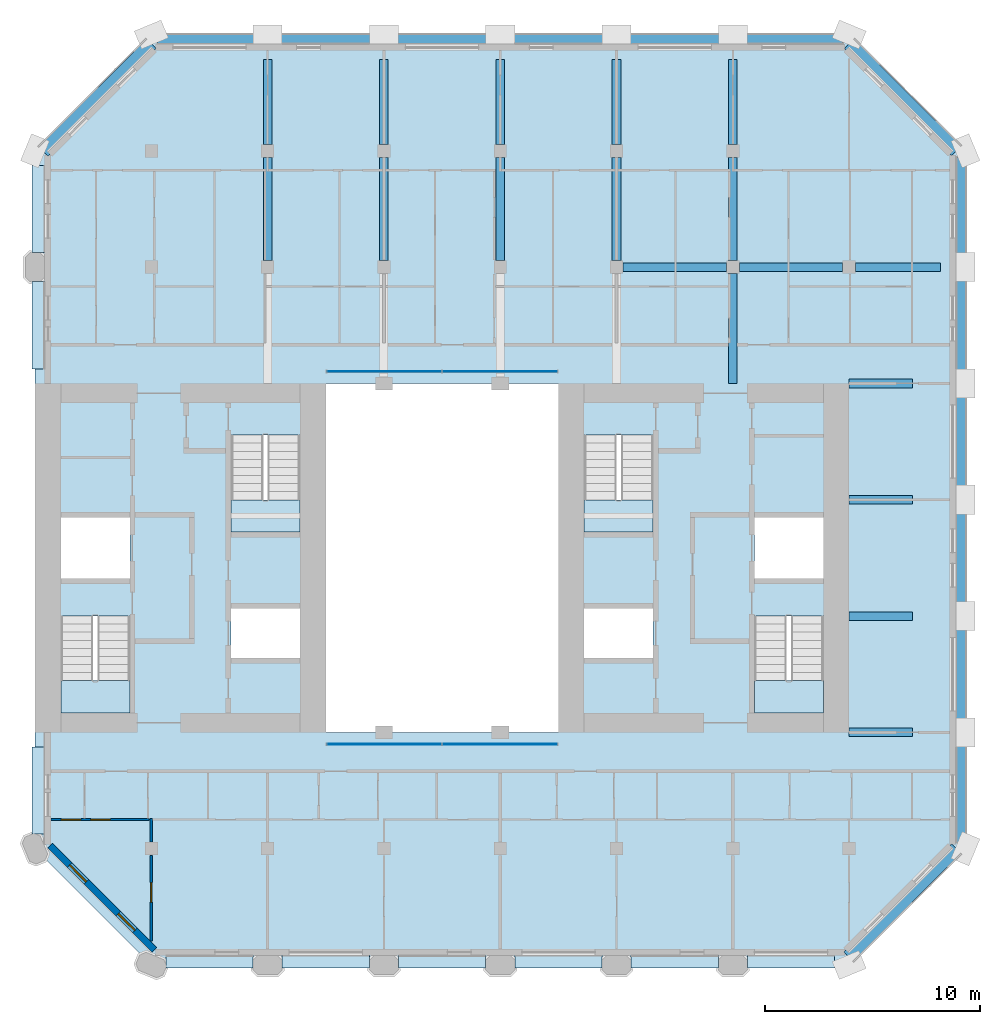
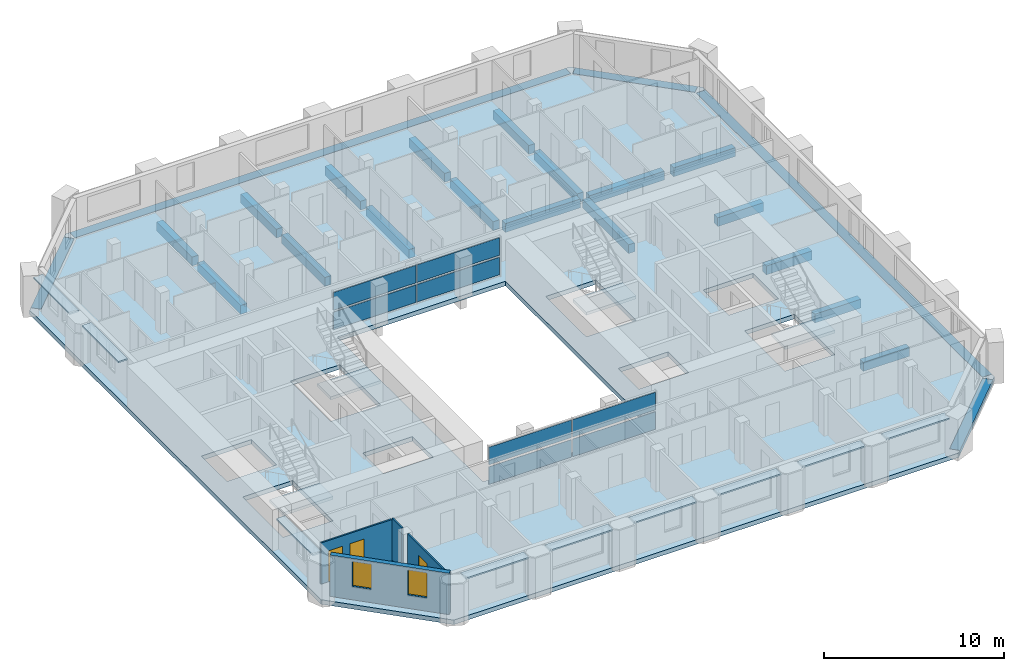
# One storey, part 3 of 13: 23 beams, 17 plates, 5 slabs, 4 walls, 3 doors, 2 windows, 5 openings, 6 elements without a shape of their own.
"""IFC4 building model written with IfcOpenShell, lengths in metres."""

from ifc_helpers import new_model, si_unit, direction, frame, frame_2d, origin, origin_2d, place, context, subcontext, project, spatial, polyline, rectangle, outline, extrude, material, layer, layer_set, material_profile, profile_set, type_object, element, fill, aggregate, save


model = new_model("IFC4")

# Units and contexts
model_context = context("Model", 3, precision=1e-05, world=origin(), true_north=direction((0.0, 1.0)))
body_context = subcontext(model_context, "Body", "Model", "MODEL_VIEW")
ifc_project = project(units=[si_unit("LENGTHUNIT", "METRE"), si_unit("AREAUNIT", "SQUARE_METRE"), si_unit("VOLUMEUNIT", "CUBIC_METRE"), si_unit("PLANEANGLEUNIT", "RADIAN"), si_unit("MASSUNIT", "GRAM", prefix="KILO")], contexts=[model_context])

# Site, building, storey
site_placement = place(None, origin())
site = spatial("IfcSite", under=ifc_project, at=site_placement, CompositionType="ELEMENT")
building_placement = place(site_placement, origin())
building = spatial("IfcBuilding", under=site, at=building_placement, Name="Tabaq Tower and Sports Hall", CompositionType="ELEMENT")
storey_placement = place(building_placement, frame((0.0, 0.0, 304.89990234375)))
storey = spatial("IfcBuildingStorey", under=building, at=storey_placement, Name="L76", CompositionType="ELEMENT", Elevation=304.89990234375)

# Beams
ifc_material_1 = material(Name="Concrete C40/50", Category="concrete")
ifc_material_profile_1 = material_profile(ifc_material_1, rectangle(XDim=0.39990234375, YDim=0.60009765625, at=origin_2d()), Name="CB 400x600")
ifc_profile_set_1 = profile_set([ifc_material_profile_1], Name="Concrete C40/50")
beam_type_1 = type_object("IfcBeamType", Name="PT CANTILEVER BEAM CB 400x600 C40/50", PredefinedType="BEAM", material=ifc_profile_set_1)
for number, where, z_axis, x_axis, name in (
    (1, (46.14990234375, 16.199951171875, -0.599853515625), (-1.0, 0.0, 0.0), (0.0, -1.0, 0.0), "Cantilever Beam L76 E3 span 1"),
    (2, (46.14990234375, 21.60009765625, -0.599853515625), (-1.0, 0.0, 0.0), (0.0, -1.0, 0.0), "Cantilever Beam L76 E4 span 1"),
    (3, (46.14990234375, 27.0, -0.599853515625), (-1.0, 0.0, 0.0), (0.0, -1.0, 0.0), "Cantilever Beam L76 E5 span 1"),
    (4, (46.14990234375, 32.39990234375, -0.599853515625), (-1.0, 0.0, 0.0), (0.0, -1.0, 0.0), "Cantilever Beam L76 E6 span 1"),
):
    element("IfcBeam", number, at=place(storey_placement, frame(where, z_axis=z_axis, x_axis=x_axis)), inside=storey, type_object=beam_type_1, Name=name, PredefinedType="BEAM", context=body_context, shape_type="SweptSolid", body=[
        extrude(rectangle(XDim=0.39990234375, YDim=0.60009765625, at=origin_2d()), origin(), (0.0, 0.0, 1.0), 2.949951171875),
    ])
beam_1_placement = place(storey_placement, frame((47.449951171875, 37.800048828125, -0.599853515625), z_axis=(-1.0, 0.0, 0.0), x_axis=(0.0, -1.0, 0.0)))
element("IfcBeam", 5, at=beam_1_placement, inside=storey, type_object=beam_type_1, Name="Cantilever Beam L76 E7 span 1", PredefinedType="BEAM", context=body_context, shape_type="SweptSolid", body=[
    extrude(rectangle(XDim=0.39990234375, YDim=0.60009765625, at=origin_2d()), origin(), (0.0, 0.0, 1.0), 3.949951171875),
])
beam_2_placement = place(storey_placement, frame((42.89990234375, 37.800048828125, -0.599853515625), z_axis=(-1.0, 0.0, 0.0), x_axis=(0.0, -1.0, 0.0)))
element("IfcBeam", 6, at=beam_2_placement, inside=storey, type_object=beam_type_1, Name="Cantilever Beam L76 E7 span 2", PredefinedType="BEAM", context=body_context, shape_type="SweptSolid", body=[
    extrude(rectangle(XDim=0.39990234375, YDim=0.60009765625, at=origin_2d()), origin(), (0.0, 0.0, 1.0), 4.7998046875),
])
beam_3_placement = place(storey_placement, frame((37.5, 37.800048828125, -0.599853515625), z_axis=(-1.0, 0.0, 0.0), x_axis=(0.0, -1.0, 0.0)))
element("IfcBeam", 7, at=beam_3_placement, inside=storey, type_object=beam_type_1, Name="Cantilever Beam L76 E7 span 3", PredefinedType="BEAM", context=body_context, shape_type="SweptSolid", body=[
    extrude(rectangle(XDim=0.39990234375, YDim=0.60009765625, at=origin_2d()), origin(), (0.0, 0.0, 1.0), 4.800048828125),
])
beam_4_placement = place(storey_placement, frame((16.199951171875, 47.449951171875, -0.599853515625), z_axis=(0.0, -1.0, 0.0), x_axis=(1.0, 0.0, 0.0)))
element("IfcBeam", 8, at=beam_4_placement, inside=storey, type_object=beam_type_1, Name="Cantilever Beam L76 N3 span 1", PredefinedType="BEAM", context=body_context, shape_type="SweptSolid", body=[
    extrude(rectangle(XDim=0.39990234375, YDim=0.60009765625, at=origin_2d()), origin(), (0.0, 0.0, 1.0), 3.949951171875),
])
beam_5_placement = place(storey_placement, frame((16.199951171875, 42.89990234375, -0.599853515625), z_axis=(0.0, -1.0, 0.0), x_axis=(1.0, 0.0, 0.0)))
element("IfcBeam", 9, at=beam_5_placement, inside=storey, type_object=beam_type_1, Name="Cantilever Beam L76 N3 span 2", PredefinedType="BEAM", context=body_context, shape_type="SweptSolid", body=[
    extrude(rectangle(XDim=0.39990234375, YDim=0.60009765625, at=origin_2d()), origin(), (0.0, 0.0, 1.0), 4.7998046875),
])
beam_6_placement = place(storey_placement, frame((21.60009765625, 47.449951171875, -0.599853515625), z_axis=(0.0, -1.0, 0.0), x_axis=(1.0, 0.0, 0.0)))
element("IfcBeam", 10, at=beam_6_placement, inside=storey, type_object=beam_type_1, Name="Cantilever Beam L76 N4 span 1", PredefinedType="BEAM", context=body_context, shape_type="SweptSolid", body=[
    extrude(rectangle(XDim=0.39990234375, YDim=0.60009765625, at=origin_2d()), origin(), (0.0, 0.0, 1.0), 3.949951171875),
])
beam_7_placement = place(storey_placement, frame((21.60009765625, 42.89990234375, -0.599853515625), z_axis=(0.0, -1.0, 0.0), x_axis=(1.0, 0.0, 0.0)))
element("IfcBeam", 11, at=beam_7_placement, inside=storey, type_object=beam_type_1, Name="Cantilever Beam L76 N4 span 2", PredefinedType="BEAM", context=body_context, shape_type="SweptSolid", body=[
    extrude(rectangle(XDim=0.39990234375, YDim=0.60009765625, at=origin_2d()), origin(), (0.0, 0.0, 1.0), 4.7998046875),
])
beam_8_placement = place(storey_placement, frame((27.0, 47.449951171875, -0.599853515625), z_axis=(0.0, -1.0, 0.0), x_axis=(1.0, 0.0, 0.0)))
element("IfcBeam", 12, at=beam_8_placement, inside=storey, type_object=beam_type_1, Name="Cantilever Beam L76 N5 span 1", PredefinedType="BEAM", context=body_context, shape_type="SweptSolid", body=[
    extrude(rectangle(XDim=0.39990234375, YDim=0.60009765625, at=origin_2d()), origin(), (0.0, 0.0, 1.0), 3.949951171875),
])
beam_9_placement = place(storey_placement, frame((27.0, 42.89990234375, -0.599853515625), z_axis=(0.0, -1.0, 0.0), x_axis=(1.0, 0.0, 0.0)))
element("IfcBeam", 13, at=beam_9_placement, inside=storey, type_object=beam_type_1, Name="Cantilever Beam L76 N5 span 2", PredefinedType="BEAM", context=body_context, shape_type="SweptSolid", body=[
    extrude(rectangle(XDim=0.39990234375, YDim=0.60009765625, at=origin_2d()), origin(), (0.0, 0.0, 1.0), 4.7998046875),
])
beam_10_placement = place(storey_placement, frame((32.39990234375, 47.449951171875, -0.599853515625), z_axis=(0.0, -1.0, 0.0), x_axis=(1.0, 0.0, 0.0)))
element("IfcBeam", 14, at=beam_10_placement, inside=storey, type_object=beam_type_1, Name="Cantilever Beam L76 N6 span 1", PredefinedType="BEAM", context=body_context, shape_type="SweptSolid", body=[
    extrude(rectangle(XDim=0.39990234375, YDim=0.60009765625, at=origin_2d()), origin(), (0.0, 0.0, 1.0), 3.949951171875),
])
beam_11_placement = place(storey_placement, frame((32.39990234375, 42.89990234375, -0.599853515625), z_axis=(0.0, -1.0, 0.0), x_axis=(1.0, 0.0, 0.0)))
element("IfcBeam", 15, at=beam_11_placement, inside=storey, type_object=beam_type_1, Name="Cantilever Beam L76 N6 span 2", PredefinedType="BEAM", context=body_context, shape_type="SweptSolid", body=[
    extrude(rectangle(XDim=0.39990234375, YDim=0.60009765625, at=origin_2d()), origin(), (0.0, 0.0, 1.0), 4.7998046875),
])
beam_12_placement = place(storey_placement, frame((37.800048828125, 47.449951171875, -0.599853515625), z_axis=(0.0, -1.0, 0.0), x_axis=(1.0, 0.0, 0.0)))
element("IfcBeam", 16, at=beam_12_placement, inside=storey, type_object=beam_type_1, Name="Cantilever Beam L76 N7 span 1", PredefinedType="BEAM", context=body_context, shape_type="SweptSolid", body=[
    extrude(rectangle(XDim=0.39990234375, YDim=0.60009765625, at=origin_2d()), origin(), (0.0, 0.0, 1.0), 3.949951171875),
])
beam_13_placement = place(storey_placement, frame((37.800048828125, 42.89990234375, -0.599853515625), z_axis=(0.0, -1.0, 0.0), x_axis=(1.0, 0.0, 0.0)))
element("IfcBeam", 17, at=beam_13_placement, inside=storey, type_object=beam_type_1, Name="Cantilever Beam L76 N7 span 2", PredefinedType="BEAM", context=body_context, shape_type="SweptSolid", body=[
    extrude(rectangle(XDim=0.39990234375, YDim=0.60009765625, at=origin_2d()), origin(), (0.0, 0.0, 1.0), 4.7998046875),
])
beam_14_placement = place(storey_placement, frame((37.800048828125, 37.5, -0.599853515625), z_axis=(0.0, -1.0, 0.0), x_axis=(1.0, 0.0, 0.0)))
element("IfcBeam", 18, at=beam_14_placement, inside=storey, type_object=beam_type_1, Name="Cantilever Beam L76 N7 span 3", PredefinedType="BEAM", context=body_context, shape_type="SweptSolid", body=[
    extrude(rectangle(XDim=0.39990234375, YDim=0.60009765625, at=origin_2d()), origin(), (0.0, 0.0, 1.0), 5.10009765625),
])
ifc_material_2 = material(Name="Concrete C40/50", Category="concrete")
ifc_material_profile_2 = material_profile(ifc_material_2, rectangle(XDim=0.60009765625, YDim=0.300048828125, at=origin_2d()), Name="EB 600x300")
ifc_profile_set_2 = profile_set([ifc_material_profile_2], Name="Concrete C40/50")
beam_type_2 = type_object("IfcBeamType", Name="PT EDGE BEAM EB 600x300 C40/50", PredefinedType="SPANDREL", material=ifc_profile_set_2)
beam_15_placement = place(storey_placement, frame((43.16455078125, 5.788818359375, -0.14990234375), z_axis=(0.707106781187, 0.707106781187, 0.0), x_axis=(-0.707106781187, 0.707106781187, 0.0)))
element("IfcBeam", 19, at=beam_15_placement, inside=storey, type_object=beam_type_2, Name="Edge Beam L76 1", PredefinedType="SPANDREL", context=body_context, shape_type="SweptSolid", body=[
    extrude(rectangle(XDim=0.60009765625, YDim=0.300048828125, at=origin_2d()), origin(), (0.0, 0.0, 1.0), 7.08837890625),
])
beam_16_placement = place(storey_placement, frame((48.300048828125, 11.0986328125, -0.14990234375), z_axis=(0.0, 1.0, 0.0), x_axis=(-1.0, 0.0, 0.0)))
element("IfcBeam", 20, at=beam_16_placement, inside=storey, type_object=beam_type_2, Name="Edge Beam L76 2", PredefinedType="SPANDREL", context=body_context, shape_type="SweptSolid", body=[
    extrude(rectangle(XDim=0.60009765625, YDim=0.300048828125, at=origin_2d()), origin(), (0.0, 0.0, 1.0), 31.802734375),
])
beam_17_placement = place(storey_placement, frame((48.1767578125, 43.198974609375, -0.14990234375), z_axis=(-0.707106781187, 0.707106781187, 0.0), x_axis=(-0.707106781187, -0.707106781187, 0.0)))
element("IfcBeam", 21, at=beam_17_placement, inside=storey, type_object=beam_type_2, Name="Edge Beam L76 3", PredefinedType="SPANDREL", context=body_context, shape_type="SweptSolid", body=[
    extrude(rectangle(XDim=0.60009765625, YDim=0.300048828125, at=origin_2d()), origin(), (0.0, 0.0, 1.0), 7.03955078125),
])
beam_18_placement = place(storey_placement, frame((42.9013671875, 48.300048828125, -0.14990234375), z_axis=(-1.0, 0.0, 0.0), x_axis=(0.0, -1.0, 0.0)))
element("IfcBeam", 22, at=beam_18_placement, inside=storey, type_object=beam_type_2, Name="Edge Beam L76 4", PredefinedType="SPANDREL", context=body_context, shape_type="SweptSolid", body=[
    extrude(rectangle(XDim=0.60009765625, YDim=0.300048828125, at=origin_2d()), origin(), (0.0, 0.0, 1.0), 31.802734375),
])
beam_19_placement = place(storey_placement, frame((10.801025390625, 48.1767578125, -0.14990234375), z_axis=(-0.707106781187, -0.707106781187, 0.0), x_axis=(0.707106781187, -0.707106781187, 0.0)))
element("IfcBeam", 23, at=beam_19_placement, inside=storey, type_object=beam_type_2, Name="Edge Beam L76 5", PredefinedType="SPANDREL", context=body_context, shape_type="SweptSolid", body=[
    extrude(rectangle(XDim=0.60009765625, YDim=0.300048828125, at=origin_2d()), origin(), (0.0, 0.0, 1.0), 7.08837890625),
])

# Curtain wall, plates
ifc_material_3 = material(Name="Aluminium alloy 6063-T6 framed glazing", Category="aluminium")
curtain_wall_type = type_object("IfcCurtainWallType", Name="CW1 curtain wall", PredefinedType="USERDEFINED", material=ifc_material_3)
curtain_wall_1_placement = place(storey_placement, origin())
curtain_wall_1 = element("IfcCurtainWall", 24, at=curtain_wall_1_placement, inside=storey, type_object=curtain_wall_type, Name="Atrium glazing L76 S", ObjectType="ATRIUM ENCLOSURE", PredefinedType="USERDEFINED")
ifc_material_4 = material(Name="Clear low-emissivity glass 28 mm", Category="glass")
ifc_layer_1 = layer(ifc_material_4, 0.028076171875)
ifc_layer_set_1 = layer_set([ifc_layer_1], Name="CW1 glass panel 28")
plate_type_1 = type_object("IfcPlateType", Name="CW1 glass panel 28", PredefinedType="CURTAIN_PANEL", material=ifc_layer_set_1)
plate_1_placement = place(storey_placement, frame((21.614990234375, 15.64990234375, 0.14013671875), z_axis=(0.0, 0.0, 1.0), x_axis=(1.0, 0.0, 0.0)))
plate_1 = element("IfcPlate", 25, at=plate_1_placement, type_object=plate_type_1, Name="CW1 panel 1.1", PredefinedType="CURTAIN_PANEL", context=body_context, shape_type="SweptSolid", body=[
    extrude(rectangle(XDim=5.31005859375, YDim=0.028076171875, at=origin_2d()), origin(), (0.0, 0.0, 1.0), 1.18994140625),
])
plate_2_placement = place(storey_placement, frame((21.614990234375, 15.64990234375, 1.47021484375), z_axis=(0.0, 0.0, 1.0), x_axis=(1.0, 0.0, 0.0)))
plate_2 = element("IfcPlate", 26, at=plate_2_placement, type_object=plate_type_1, Name="CW1 panel 1.2", PredefinedType="CURTAIN_PANEL", context=body_context, shape_type="SweptSolid", body=[
    extrude(rectangle(XDim=5.31005859375, YDim=0.028076171875, at=origin_2d()), origin(), (0.0, 0.0, 1.0), 1.18994140625),
])
plate_3_placement = place(storey_placement, frame((26.985107421875, 15.64990234375, 0.14013671875), z_axis=(0.0, 0.0, 1.0), x_axis=(1.0, 0.0, 0.0)))
plate_3 = element("IfcPlate", 27, at=plate_3_placement, type_object=plate_type_1, Name="CW1 panel 2.1", PredefinedType="CURTAIN_PANEL", context=body_context, shape_type="SweptSolid", body=[
    extrude(rectangle(XDim=5.31005859375, YDim=0.028076171875, at=origin_2d()), origin(), (0.0, 0.0, 1.0), 1.18994140625),
])
plate_4_placement = place(storey_placement, frame((26.985107421875, 15.64990234375, 1.47021484375), z_axis=(0.0, 0.0, 1.0), x_axis=(1.0, 0.0, 0.0)))
plate_4 = element("IfcPlate", 28, at=plate_4_placement, type_object=plate_type_1, Name="CW1 panel 2.2", PredefinedType="CURTAIN_PANEL", context=body_context, shape_type="SweptSolid", body=[
    extrude(rectangle(XDim=5.31005859375, YDim=0.028076171875, at=origin_2d()), origin(), (0.0, 0.0, 1.0), 1.18994140625),
])
aggregate(curtain_wall_1, [plate_1, plate_2, plate_3, plate_4])

curtain_wall_2_placement = place(storey_placement, origin())
curtain_wall_2 = element("IfcCurtainWall", 29, at=curtain_wall_2_placement, inside=storey, type_object=curtain_wall_type, Name="Atrium glazing L76 N", ObjectType="ATRIUM ENCLOSURE", PredefinedType="USERDEFINED")
plate_5_placement = place(storey_placement, frame((21.614990234375, 32.949951171875, 0.14013671875), z_axis=(0.0, 0.0, 1.0), x_axis=(1.0, 0.0, 0.0)))
plate_5 = element("IfcPlate", 30, at=plate_5_placement, type_object=plate_type_1, Name="CW1 panel 1.1", PredefinedType="CURTAIN_PANEL", context=body_context, shape_type="SweptSolid", body=[
    extrude(rectangle(XDim=5.31005859375, YDim=0.028076171875, at=origin_2d()), origin(), (0.0, 0.0, 1.0), 1.18994140625),
])
plate_6_placement = place(storey_placement, frame((21.614990234375, 32.949951171875, 1.47021484375), z_axis=(0.0, 0.0, 1.0), x_axis=(1.0, 0.0, 0.0)))
plate_6 = element("IfcPlate", 31, at=plate_6_placement, type_object=plate_type_1, Name="CW1 panel 1.2", PredefinedType="CURTAIN_PANEL", context=body_context, shape_type="SweptSolid", body=[
    extrude(rectangle(XDim=5.31005859375, YDim=0.028076171875, at=origin_2d()), origin(), (0.0, 0.0, 1.0), 1.18994140625),
])
plate_7_placement = place(storey_placement, frame((26.985107421875, 32.949951171875, 0.14013671875), z_axis=(0.0, 0.0, 1.0), x_axis=(1.0, 0.0, 0.0)))
plate_7 = element("IfcPlate", 32, at=plate_7_placement, type_object=plate_type_1, Name="CW1 panel 2.1", PredefinedType="CURTAIN_PANEL", context=body_context, shape_type="SweptSolid", body=[
    extrude(rectangle(XDim=5.31005859375, YDim=0.028076171875, at=origin_2d()), origin(), (0.0, 0.0, 1.0), 1.18994140625),
])
plate_8_placement = place(storey_placement, frame((26.985107421875, 32.949951171875, 1.47021484375), z_axis=(0.0, 0.0, 1.0), x_axis=(1.0, 0.0, 0.0)))
plate_8 = element("IfcPlate", 33, at=plate_8_placement, type_object=plate_type_1, Name="CW1 panel 2.2", PredefinedType="CURTAIN_PANEL", context=body_context, shape_type="SweptSolid", body=[
    extrude(rectangle(XDim=5.31005859375, YDim=0.028076171875, at=origin_2d()), origin(), (0.0, 0.0, 1.0), 1.18994140625),
])
aggregate(curtain_wall_2, [plate_5, plate_6, plate_7, plate_8])

# Stair, slab
ifc_material_5 = material(Name="Concrete C40/50", Category="concrete")
stair_type = type_object("IfcStairType", Name="Exit stair", PredefinedType="HALF_TURN_STAIR", material=ifc_material_5)
stair_1_placement = place(storey_placement, origin())
stair_1 = element("IfcStair", 34, at=stair_1_placement, inside=storey, type_object=stair_type, Name="L76 Exit stair ST1", PredefinedType="HALF_TURN_STAIR")
ifc_material_6 = material(Name="Concrete C40/50", Category="concrete")
ifc_layer_2 = layer(ifc_material_6, 0.199951171875)
ifc_layer_set_2 = layer_set([ifc_layer_2], Name="Exit stair landing")
slab_type_1 = type_object("IfcSlabType", Name="Exit stair landing", PredefinedType="LANDING", material=ifc_layer_set_2)
slab_1_placement = place(storey_placement, frame((0.0, 0.0, 1.4501953125)))
slab_1 = element("IfcSlab", 35, at=slab_1_placement, type_object=slab_type_1, Name="ST1 landing 1", PredefinedType="LANDING", context=body_context, shape_type="SweptSolid", body=[
    extrude(outline(polyline([(6.60009765625, 18.60009765625), (6.60009765625, 17.10009765625), (9.800048828125, 17.10009765625), (9.800048828125, 18.60009765625), (6.60009765625, 18.60009765625)])), origin(), (0.0, 0.0, 1.0), 0.199951171875),
])
aggregate(stair_1, [slab_1])

stair_2_placement = place(storey_placement, origin())
stair_2 = element("IfcStair", 36, at=stair_2_placement, inside=storey, type_object=stair_type, Name="L76 Exit stair ST2", PredefinedType="HALF_TURN_STAIR")
slab_2_placement = place(storey_placement, frame((0.0, 0.0, 1.4501953125)))
slab_2 = element("IfcSlab", 37, at=slab_2_placement, type_object=slab_type_1, Name="ST2 landing 1", PredefinedType="LANDING", context=body_context, shape_type="SweptSolid", body=[
    extrude(outline(polyline([(14.5, 27.0), (14.5, 25.5), (17.699951171875, 25.5), (17.699951171875, 27.0), (14.5, 27.0)])), origin(), (0.0, 0.0, 1.0), 0.199951171875),
])
aggregate(stair_2, [slab_2])

stair_3_placement = place(storey_placement, origin())
stair_3 = element("IfcStair", 38, at=stair_3_placement, inside=storey, type_object=stair_type, Name="L76 Exit stair ST3", PredefinedType="HALF_TURN_STAIR")
slab_3_placement = place(storey_placement, frame((0.0, 0.0, 1.4501953125)))
slab_3 = element("IfcSlab", 39, at=slab_3_placement, type_object=slab_type_1, Name="ST3 landing 1", PredefinedType="LANDING", context=body_context, shape_type="SweptSolid", body=[
    extrude(outline(polyline([(38.800048828125, 18.60009765625), (38.800048828125, 17.10009765625), (42.0, 17.10009765625), (42.0, 18.60009765625), (38.800048828125, 18.60009765625)])), origin(), (0.0, 0.0, 1.0), 0.199951171875),
])
aggregate(stair_3, [slab_3])

stair_4_placement = place(storey_placement, origin())
stair_4 = element("IfcStair", 40, at=stair_4_placement, inside=storey, type_object=stair_type, Name="L76 Exit stair ST4", PredefinedType="HALF_TURN_STAIR")
slab_4_placement = place(storey_placement, frame((0.0, 0.0, 1.4501953125)))
slab_4 = element("IfcSlab", 41, at=slab_4_placement, type_object=slab_type_1, Name="ST4 landing 1", PredefinedType="LANDING", context=body_context, shape_type="SweptSolid", body=[
    extrude(outline(polyline([(30.89990234375, 27.0), (30.89990234375, 25.5), (34.10009765625, 25.5), (34.10009765625, 27.0), (30.89990234375, 27.0)])), origin(), (0.0, 0.0, 1.0), 0.199951171875),
])
aggregate(stair_4, [slab_4])

# Slab
ifc_material_7 = material(Name="Concrete C40/50", Category="concrete")
ifc_layer_3 = layer(ifc_material_7, 0.300048828125)
ifc_layer_set_3 = layer_set([ifc_layer_3], Name="PT FLOOR SLAB 300 C40/50")
slab_type_2 = type_object("IfcSlabType", Name="PT FLOOR SLAB 300 C40/50", PredefinedType="FLOOR", material=ifc_layer_set_3)
slab_5_placement = place(storey_placement, frame((0.0, 0.0, -0.2998046875)))
element("IfcSlab", 42, at=slab_5_placement, inside=storey, type_object=slab_type_2, Name="Floor Slab L76", PredefinedType="FLOOR", context=body_context, shape_type="SweptSolid", body=[
    extrude(outline(polyline([(5.39990234375, 43.199951171875), (5.39990234375, 10.800048828125), (10.800048828125, 5.39990234375), (43.199951171875, 5.39990234375), (43.376708984375, 5.57666015625), (42.952392578125, 6.0009765625), (47.964599609375, 11.01318359375), (48.035400390625, 10.9423828125), (48.388916015625, 10.5888671875), (48.60009765625, 10.800048828125), (48.60009765625, 11.0986328125), (48.10009765625, 11.0986328125), (48.0, 11.0986328125), (48.0, 42.9013671875), (48.10009765625, 42.9013671875), (48.60009765625, 42.9013671875), (48.60009765625, 43.199951171875), (48.388916015625, 43.4111328125), (48.035400390625, 43.0576171875), (47.964599609375, 42.98681640625), (42.98681640625, 47.964599609375), (43.0576171875, 48.035400390625), (43.4111328125, 48.388916015625), (43.199951171875, 48.60009765625), (42.9013671875, 48.60009765625), (42.9013671875, 48.10009765625), (42.9013671875, 48.0), (11.0986328125, 48.0), (11.0986328125, 48.10009765625), (11.0986328125, 48.60009765625), (10.800048828125, 48.60009765625), (10.5888671875, 48.388916015625), (10.9423828125, 48.035400390625), (11.01318359375, 47.964599609375), (6.0009765625, 42.952392578125), (5.57666015625, 43.376708984375), (5.39990234375, 43.199951171875)]), holes=[polyline([(6.60009765625, 21.599365234375), (9.800048828125, 21.599365234375), (9.800048828125, 17.10009765625), (6.60009765625, 17.10009765625), (6.60009765625, 21.599365234375)]), polyline([(38.800048828125, 21.599365234375), (42.0, 21.599365234375), (42.0, 17.10009765625), (38.800048828125, 17.10009765625), (38.800048828125, 21.599365234375)]), polyline([(14.5, 21.949951171875), (17.699951171875, 21.949951171875), (17.699951171875, 19.64990234375), (14.5, 19.64990234375), (14.5, 21.949951171875)]), polyline([(30.89990234375, 21.949951171875), (34.10009765625, 21.949951171875), (34.10009765625, 19.64990234375), (30.89990234375, 19.64990234375), (30.89990234375, 21.949951171875)]), polyline([(18.89990234375, 16.199951171875), (18.89990234375, 32.39990234375), (29.699951171875, 32.39990234375), (29.699951171875, 16.199951171875), (18.89990234375, 16.199951171875)]), polyline([(6.60009765625, 26.175048828125), (9.800048828125, 26.175048828125), (9.800048828125, 23.35009765625), (6.60009765625, 23.35009765625), (6.60009765625, 26.175048828125)]), polyline([(38.800048828125, 26.175048828125), (42.0, 26.175048828125), (42.0, 23.35009765625), (38.800048828125, 23.35009765625), (38.800048828125, 26.175048828125)]), polyline([(17.699951171875, 29.99951171875), (17.699951171875, 25.5), (14.5, 25.5), (14.5, 29.99951171875), (17.699951171875, 29.99951171875)]), polyline([(34.10009765625, 29.99951171875), (34.10009765625, 25.5), (30.89990234375, 25.5), (30.89990234375, 29.99951171875), (34.10009765625, 29.99951171875)])]), origin(), (0.0, 0.0, 1.0), 0.2998046875),
])

# Plates
ifc_material_8 = material(Name="White precast concrete C60/75 blade", Category="concrete")
ifc_layer_4 = layer(ifc_material_8, 0.10009765625)
ifc_layer_set_4 = layer_set([ifc_layer_4], Name="White precast concrete C60/75 sunshade 100")
plate_type_2 = type_object("IfcPlateType", Name="White precast concrete C60/75 sunshade 100", PredefinedType="USERDEFINED", material=ifc_layer_set_4)
for number, where, z_axis, x_axis, name in (
    (43, (13.5, 5.550048828125, 2.60009765625), (0.0, 0.0, 1.0), (1.0, 0.0, 0.0), "Sunshade L76 S"),
    (44, (18.89990234375, 5.550048828125, 2.60009765625), (0.0, 0.0, 1.0), (1.0, 0.0, 0.0), "Sunshade L76 S"),
    (45, (24.300048828125, 5.550048828125, 2.60009765625), (0.0, 0.0, 1.0), (1.0, 0.0, 0.0), "Sunshade L76 S"),
    (46, (29.699951171875, 5.550048828125, 2.60009765625), (0.0, 0.0, 1.0), (1.0, 0.0, 0.0), "Sunshade L76 S"),
    (47, (35.10009765625, 5.550048828125, 2.60009765625), (0.0, 0.0, 1.0), (1.0, 0.0, 0.0), "Sunshade L76 S"),
    (48, (40.5, 5.550048828125, 2.60009765625), (0.0, 0.0, 1.0), (1.0, 0.0, 0.0), "Sunshade L76 S"),
    (49, (5.550048828125, 40.5, 2.60009765625), (0.0, 0.0, 1.0), (0.0, -1.0, 0.0), "Sunshade L76 W"),
    (50, (5.550048828125, 35.10009765625, 2.60009765625), (0.0, 0.0, 1.0), (0.0, -1.0, 0.0), "Sunshade L76 W"),
    (51, (5.550048828125, 13.5, 2.60009765625), (0.0, 0.0, 1.0), (0.0, -1.0, 0.0), "Sunshade L76 W"),
):
    element("IfcPlate", number, at=place(storey_placement, frame(where, z_axis=z_axis, x_axis=x_axis)), inside=storey, type_object=plate_type_2, Name=name, ObjectType="SUNSHADE", PredefinedType="USERDEFINED", context=body_context, shape_type="SweptSolid", body=[
        extrude(rectangle(XDim=4.050048828125, YDim=0.60009765625, at=origin_2d()), origin(), (0.0, 0.0, 1.0), 0.10009765625),
    ])

# Wall, opening, door
ifc_material_9 = material(Name="Gypsum board on steel studs", Category="steel")
ifc_layer_5 = layer(ifc_material_9, 0.10009765625)
ifc_layer_set_5 = layer_set([ifc_layer_5], Name="Partition 100 Gypsum board")
wall_type_1 = type_object("IfcWallType", Name="Partition 100 Gypsum board", PredefinedType="PARTITIONING", material=ifc_layer_set_5)
wall_1_placement = place(storey_placement, frame((10.800048828125, 6.51220703125, 0.0), z_axis=(0.0, 0.0, 1.0), x_axis=(0.0, 1.0, 0.0)))
wall_1 = element("IfcWall", 52, at=wall_1_placement, inside=storey, type_object=wall_type_1, Name="Partition wall L76", PredefinedType="PARTITIONING", context=body_context, shape_type="SweptSolid", body=[
    extrude(rectangle(XDim=3.9677734375, YDim=0.10009765625, at=frame_2d((1.98388671875, 0.0))), origin(), (0.0, 0.0, 1.0), 2.800048828125),
])
opening_1_placement = place(wall_1_placement, frame((1.81298828125, 0.0, 0.0)))
opening_1 = element("IfcOpeningElement", 53, at=opening_1_placement, cuts=wall_1, Name="Opening L76-039", PredefinedType="OPENING", context=body_context, shape_type="SweptSolid", body=[
    extrude(rectangle(XDim=0.89990234375, YDim=2.10009765625, at=frame_2d((0.449951171875, 1.050048828125))), frame((0.0, 0.050048828125, 0.0), z_axis=(0.0, -1.0, 0.0), x_axis=(1.0, 0.0, 0.0)), (0.0, 0.0, 1.0), 0.10009765625),
])
ifc_material_10 = material(Name="Timber leaf in steel frame", Category="steel")
door_type_1 = type_object("IfcDoorType", Name="Internal door 900 right hand", OperationType="SINGLE_SWING_RIGHT", PredefinedType="DOOR", material=ifc_material_10)
door_1_placement = place(opening_1_placement, origin())
door_1 = element("IfcDoor", 54, at=door_1_placement, inside=storey, type_object=door_type_1, Name="Internal door L76-039", OperationType="SINGLE_SWING_RIGHT", OverallHeight=2.10009765625, OverallWidth=0.89990234375, PredefinedType="DOOR", context=body_context, shape_type="SweptSolid", body=[
    extrude(rectangle(XDim=0.89990234375, YDim=2.10009765625, at=frame_2d((0.449951171875, 1.050048828125))), frame((0.0, 0.02490234375, 0.0), z_axis=(0.0, -1.0, 0.0), x_axis=(1.0, 0.0, 0.0)), (0.0, 0.0, 1.0), 0.050048828125),
])
fill(opening_1, door_1)

# Wall
wall_2_placement = place(storey_placement, frame((10.800048828125, 11.1201171875, 0.0), z_axis=(0.0, 0.0, 1.0), x_axis=(0.0, 1.0, 0.0)))
element("IfcWall", 55, at=wall_2_placement, inside=storey, type_object=wall_type_1, Name="Partition wall L76", PredefinedType="PARTITIONING", context=body_context, shape_type="SweptSolid", body=[
    extrude(rectangle(XDim=1.079833984375, YDim=0.10009765625, at=frame_2d((0.5400390625, 0.0))), origin(), (0.0, 0.0, 1.0), 2.800048828125),
])

# Wall, openings, doors
wall_3_placement = place(storey_placement, frame((10.68994140625, 12.14990234375, 0.0), z_axis=(0.0, 0.0, 1.0), x_axis=(-1.0, 0.0, 0.0)))
wall_3 = element("IfcWall", 56, at=wall_3_placement, inside=storey, type_object=wall_type_1, Name="Partition wall L76", PredefinedType="PARTITIONING", context=body_context, shape_type="SweptSolid", body=[
    extrude(rectangle(XDim=4.5390625, YDim=0.10009765625, at=frame_2d((2.26953125, 0.0))), origin(), (0.0, 0.0, 1.0), 2.800048828125),
])
opening_2_placement = place(wall_3_placement, frame((3.159912109375, 0.0, 0.0)))
opening_2 = element("IfcOpeningElement", 57, at=opening_2_placement, cuts=wall_3, Name="Opening L76-040", PredefinedType="OPENING", context=body_context, shape_type="SweptSolid", body=[
    extrude(rectangle(XDim=0.89990234375, YDim=2.10009765625, at=frame_2d((0.449951171875, 1.050048828125))), frame((0.0, 0.050048828125, 0.0), z_axis=(0.0, -1.0, 0.0), x_axis=(1.0, 0.0, 0.0)), (0.0, 0.0, 1.0), 0.10009765625),
])
opening_3_placement = place(wall_3_placement, frame((1.7900390625, 0.0, 0.0)))
opening_3 = element("IfcOpeningElement", 58, at=opening_3_placement, cuts=wall_3, Name="Opening L76-055", PredefinedType="OPENING", context=body_context, shape_type="SweptSolid", body=[
    extrude(rectangle(XDim=0.89990234375, YDim=2.10009765625, at=frame_2d((0.449951171875, 1.050048828125))), frame((0.0, 0.050048828125, 0.0), z_axis=(0.0, -1.0, 0.0), x_axis=(1.0, 0.0, 0.0)), (0.0, 0.0, 1.0), 0.10009765625),
])
ifc_material_11 = material(Name="Timber leaf in steel frame", Category="steel")
door_type_2 = type_object("IfcDoorType", Name="Internal door 900 left hand", OperationType="SINGLE_SWING_LEFT", PredefinedType="DOOR", material=ifc_material_11)
door_2_placement = place(opening_3_placement, origin())
door_2 = element("IfcDoor", 59, at=door_2_placement, inside=storey, type_object=door_type_2, Name="Internal door L76-055", OperationType="SINGLE_SWING_LEFT", OverallHeight=2.10009765625, OverallWidth=0.89990234375, PredefinedType="DOOR", context=body_context, shape_type="SweptSolid", body=[
    extrude(rectangle(XDim=0.89990234375, YDim=2.10009765625, at=frame_2d((0.449951171875, 1.050048828125))), frame((0.0, 0.02490234375, 0.0), z_axis=(0.0, -1.0, 0.0), x_axis=(1.0, 0.0, 0.0)), (0.0, 0.0, 1.0), 0.050048828125),
])
fill(opening_3, door_2)
door_3_placement = place(opening_2_placement, origin())
door_3 = element("IfcDoor", 60, at=door_3_placement, inside=storey, type_object=door_type_1, Name="Internal door L76-040", OperationType="SINGLE_SWING_RIGHT", OverallHeight=2.10009765625, OverallWidth=0.89990234375, PredefinedType="DOOR", context=body_context, shape_type="SweptSolid", body=[
    extrude(rectangle(XDim=0.89990234375, YDim=2.10009765625, at=frame_2d((0.449951171875, 1.050048828125))), frame((0.0, 0.02490234375, 0.0), z_axis=(0.0, -1.0, 0.0), x_axis=(1.0, 0.0, 0.0)), (0.0, 0.0, 1.0), 0.050048828125),
])
fill(opening_2, door_3)

# Wall, openings, windows
ifc_material_12 = material(Name="White precast concrete C60/75", Category="concrete")
ifc_layer_6 = layer(ifc_material_12, 0.300048828125)
ifc_layer_set_6 = layer_set([ifc_layer_6], Name="White precast concrete C60/75 external wall 300")
wall_type_2 = type_object("IfcWallType", Name="White precast concrete C60/75 external wall 300", PredefinedType="SOLIDWALL", material=ifc_layer_set_6)
wall_4_placement = place(storey_placement, frame((6.098876953125, 10.949462890625, 0.0), z_axis=(0.0, 0.0, 1.0), x_axis=(0.707106781187, -0.707106781187, 0.0)))
wall_4 = element("IfcWall", 61, at=wall_4_placement, inside=storey, type_object=wall_type_2, Name="External Wall L76 SW", PredefinedType="SOLIDWALL", context=body_context, shape_type="SweptSolid", body=[
    extrude(rectangle(XDim=6.85986328125, YDim=0.300048828125, at=frame_2d((3.429931640625, 0.0))), origin(), (0.0, 0.0, 1.0), 2.800048828125),
])
opening_4_placement = place(wall_4_placement, frame((1.27978515625, 0.0, 0.89990234375)))
opening_4 = element("IfcOpeningElement", 62, at=opening_4_placement, cuts=wall_4, Name="Opening W1B", PredefinedType="OPENING", context=body_context, shape_type="SweptSolid", body=[
    extrude(rectangle(XDim=1.10009765625, YDim=1.699951171875, at=frame_2d((0.550048828125, 0.85009765625))), frame((0.0, 0.16015625, 0.0), z_axis=(0.0, -1.0, 0.0), x_axis=(1.0, 0.0, 0.0)), (0.0, 0.0, 1.0), 0.320068359375),
])
opening_5_placement = place(wall_4_placement, frame((4.479736328125, 0.0, 0.89990234375)))
opening_5 = element("IfcOpeningElement", 63, at=opening_5_placement, cuts=wall_4, Name="Opening W1B", PredefinedType="OPENING", context=body_context, shape_type="SweptSolid", body=[
    extrude(rectangle(XDim=1.10009765625, YDim=1.699951171875, at=frame_2d((0.550048828125, 0.85009765625))), frame((0.0, 0.16015625, 0.0), z_axis=(0.0, -1.0, 0.0), x_axis=(1.0, 0.0, 0.0)), (0.0, 0.0, 1.0), 0.320068359375),
])
ifc_material_13 = material(Name="Aluminium framed clear glazing", Category="aluminium")
window_type = type_object("IfcWindowType", Name="Window W1B", PartitioningType="SINGLE_PANEL", PredefinedType="WINDOW", material=ifc_material_13)
window_1_placement = place(opening_4_placement, origin())
window_1 = element("IfcWindow", 64, at=window_1_placement, inside=storey, type_object=window_type, Name="Window W1B L76", OverallHeight=1.699951171875, OverallWidth=1.10009765625, PartitioningType="SINGLE_PANEL", PredefinedType="WINDOW", context=body_context, shape_type="SweptSolid", body=[
    extrude(rectangle(XDim=1.10009765625, YDim=1.699951171875, at=frame_2d((0.550048828125, 0.85009765625))), frame((0.0, 0.030029296875, 0.0), z_axis=(0.0, -1.0, 0.0), x_axis=(1.0, 0.0, 0.0)), (0.0, 0.0, 1.0), 0.06005859375),
])
fill(opening_4, window_1)
window_2_placement = place(opening_5_placement, origin())
window_2 = element("IfcWindow", 65, at=window_2_placement, inside=storey, type_object=window_type, Name="Window W1B L76", OverallHeight=1.699951171875, OverallWidth=1.10009765625, PartitioningType="SINGLE_PANEL", PredefinedType="WINDOW", context=body_context, shape_type="SweptSolid", body=[
    extrude(rectangle(XDim=1.10009765625, YDim=1.699951171875, at=frame_2d((0.550048828125, 0.85009765625))), frame((0.0, 0.030029296875, 0.0), z_axis=(0.0, -1.0, 0.0), x_axis=(1.0, 0.0, 0.0)), (0.0, 0.0, 1.0), 0.06005859375),
])
fill(opening_5, window_2)

save(model, "model.ifc")
